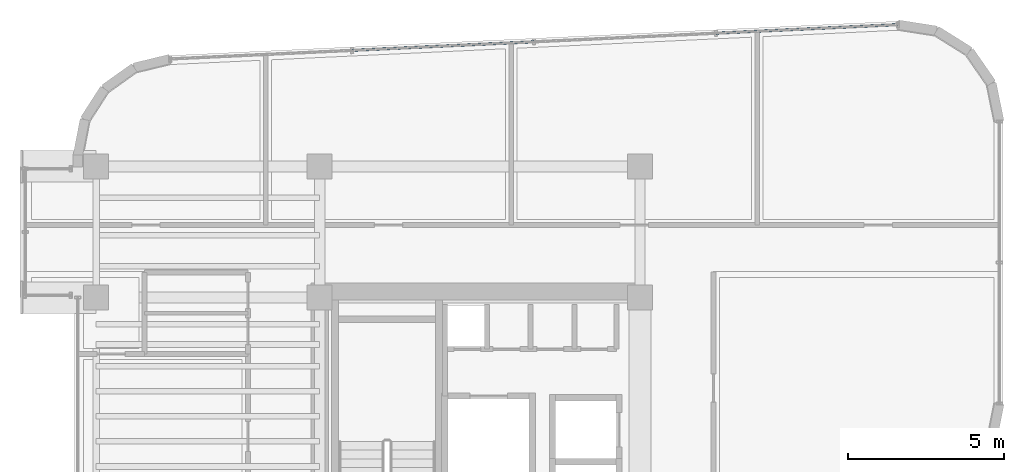
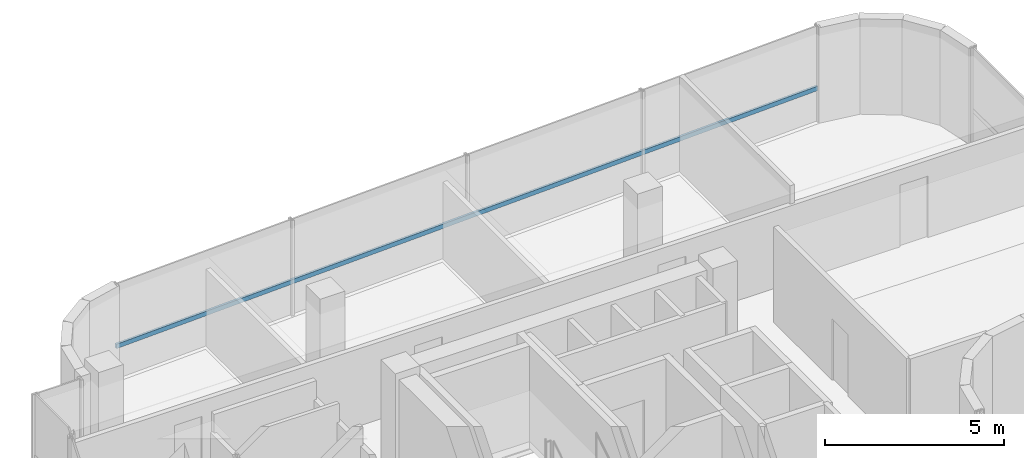
# One storey, part 13 of 21: 1 member, 1 element without a shape of its own.
"""IFC4 building model written with IfcOpenShell, lengths in metres."""

from ifc_helpers import new_model, si_unit, direction, frame, origin, origin_2d, place, context, subcontext, project, spatial, hollow_rectangle, extrude, source, transform, mapped, material, material_profile, profile_set, type_object, element, aggregate, save


model = new_model("IFC4")

# Units and contexts
model_context = context("Model", 3, precision=1e-05, world=origin(), true_north=direction((0.0, 1.0)))
body_context = subcontext(model_context, "Body", "Model", "MODEL_VIEW")
ifc_project = project(units=[si_unit("LENGTHUNIT", "METRE"), si_unit("AREAUNIT", "SQUARE_METRE"), si_unit("VOLUMEUNIT", "CUBIC_METRE"), si_unit("PLANEANGLEUNIT", "RADIAN"), si_unit("MASSUNIT", "GRAM", prefix="KILO")], contexts=[model_context])

# Site, building, storey
site_placement = place(None, origin())
site = spatial("IfcSite", under=ifc_project, at=site_placement, CompositionType="ELEMENT")
building_placement = place(site_placement, origin())
building = spatial("IfcBuilding", under=site, at=building_placement, Name="Valdorenza Pilgrim Sanctuary Tower", CompositionType="ELEMENT")
storey_placement = place(building_placement, frame((0.0, 0.0, 258.0)))
storey = spatial("IfcBuildingStorey", under=building, at=storey_placement, Name="L67", CompositionType="ELEMENT", Elevation=258.0)

# Curtain wall, member
ifc_material_1 = material(Name="Curtain-wall IGU glazing", Category="glass")
curtain_wall_type = type_object("IfcCurtainWallType", Name="CW-SYS-02", PredefinedType="NOTDEFINED", material=ifc_material_1)
curtain_wall_placement = place(storey_placement, origin())
curtain_wall = element("IfcCurtainWall", 1, at=curtain_wall_placement, inside=storey, type_object=curtain_wall_type, Name="L67 Curtain Wall CW-L67-1-6", PredefinedType="NOTDEFINED")
ifc_material_2 = material(Name="Anodised aluminium AW-6060", Category="aluminium")
ifc_material_profile = material_profile(ifc_material_2, hollow_rectangle(XDim=0.074951171875, YDim=0.14990234375, WallThickness=0.00390625, at=origin_2d()), Name="ALU-T 150x75x4")
ifc_profile_set = profile_set([ifc_material_profile], Name="Anodised aluminium AW-6060")
member_type = type_object("IfcMemberType", Name="CW-TRN-02", PredefinedType="USERDEFINED", material=ifc_profile_set)
shared_shape = source(origin(), body_context, "Body", "SweptSolid", [
    extrude(hollow_rectangle(XDim=0.074951171875, YDim=0.14990234375, WallThickness=0.00390625, at=origin_2d()), origin(), (0.0, 0.0, 1.0), 23.30419921875),
])
member_placement = place(storey_placement, frame((-27.43505859375, 18.234375, 1.1201171875), z_axis=(0.998890613053, 0.04709079693, 0.0), x_axis=(-0.04709079693, 0.998890613053, 0.0)))
member = element("IfcMember", 2, at=member_placement, type_object=member_type, Name="CW-L67-1-6 Transom 1", ObjectType="TRANSOM", PredefinedType="USERDEFINED", context=body_context, shape_type="MappedRepresentation", body=[
    mapped(shared_shape, transform((0.0, 0.0, 0.0), x_axis=(1.0, 0.0, 0.0), y_axis=(0.0, 1.0, 0.0), z_axis=(0.0, 0.0, 1.0), scale=1.0)),
])
aggregate(curtain_wall, [member])

save(model, "model.ifc")
